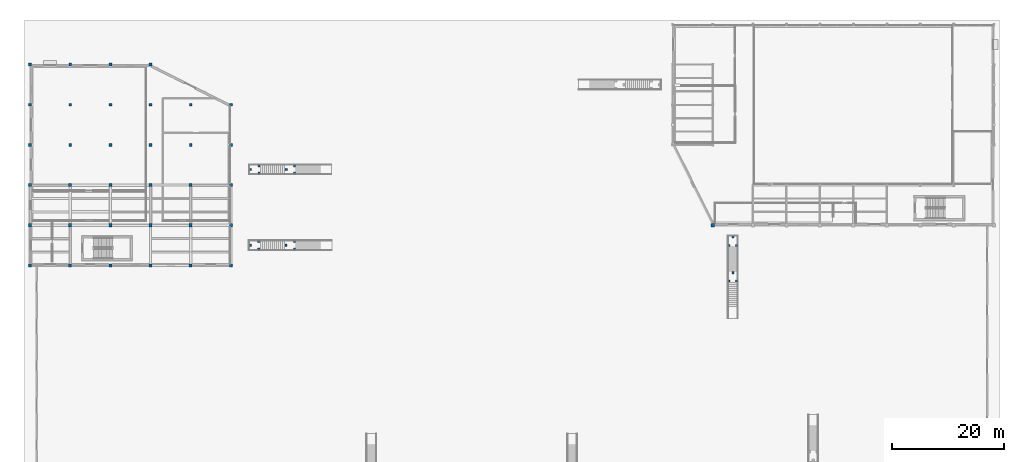
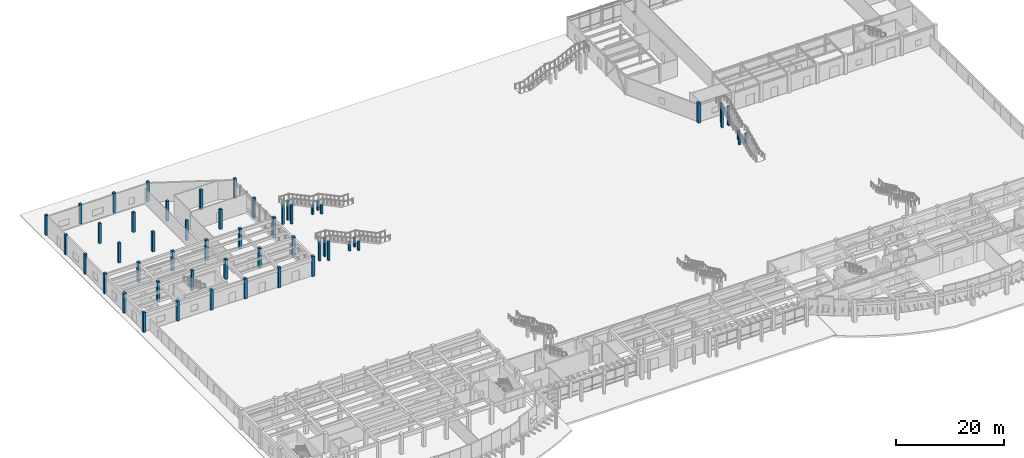
# One storey, part 2 of 58: 53 columns.
"""IFC4 building model written with IfcOpenShell, lengths in metres."""

from ifc_helpers import new_model, si_unit, direction, frame, origin, origin_2d, place, context, subcontext, project, spatial, rectangle, extrude, material, material_profile, profile_set, type_object, element, save


model = new_model("IFC4")

# Units and contexts
model_context = context("Model", 3, precision=1e-05, world=origin(), true_north=direction((0.0, 1.0)))
body_context = subcontext(model_context, "Body", "Model", "MODEL_VIEW")
ifc_project = project(units=[si_unit("LENGTHUNIT", "METRE"), si_unit("AREAUNIT", "SQUARE_METRE"), si_unit("VOLUMEUNIT", "CUBIC_METRE"), si_unit("PLANEANGLEUNIT", "RADIAN"), si_unit("MASSUNIT", "GRAM", prefix="KILO")], contexts=[model_context])

# Site, building, storey
site_placement = place(None, origin())
site = spatial("IfcSite", under=ifc_project, at=site_placement, CompositionType="ELEMENT")
building_placement = place(site_placement, origin())
building = spatial("IfcBuilding", under=site, at=building_placement, Name="Brisavento Harbour Community Centre", CompositionType="ELEMENT")
storey_placement = place(building_placement, origin())
storey = spatial("IfcBuildingStorey", under=building, at=storey_placement, Name="L00", CompositionType="ELEMENT", Elevation=0.0)

# Columns
ifc_material = material(Name="Concrete C35/45", Category="concrete")
ifc_material_profile_1 = material_profile(ifc_material, rectangle(XDim=0.39990234375, YDim=0.39990234375, at=origin_2d()), Name="Concrete C35/45")
ifc_profile_set_1 = profile_set([ifc_material_profile_1], Name="Concrete C35/45")
column_type_1 = type_object("IfcColumnType", Name="COL-RC-400", PredefinedType="COLUMN", material=ifc_profile_set_1)
for number, where, z_axis, x_axis, name in (
    (1, (126.68994140625, 69.199951171875, 0.0), (0.0, 0.0, 1.0), (1.0, 0.0, 0.0), "MST-03 MID support column 1 L00"),
    (2, (125.31005859375, 69.199951171875, 0.0), (0.0, 0.0, 1.0), (1.0, 0.0, 0.0), "MST-03 MID support column 2 L00"),
    (3, (126.0, 70.7099609375, 0.0), (0.0, 0.0, 1.0), (1.0, 0.0, 0.0), "MST-03 MID support column 3 L00"),
):
    element("IfcColumn", number, at=place(storey_placement, frame(where, z_axis=z_axis, x_axis=x_axis)), inside=storey, type_object=column_type_1, Name=name, PredefinedType="COLUMN", context=body_context, shape_type="SweptSolid", body=[
        extrude(rectangle(XDim=0.39990234375, YDim=0.39990234375, at=origin_2d()), origin(), (0.0, 0.0, 1.0), 2.050048828125),
    ])
for number, where, z_axis, x_axis, name in (
    (4, (126.68994140625, 75.590087890625, 0.0), (0.0, 0.0, 1.0), (1.0, 0.0, 0.0), "MST-03 TOP support column 1 L00"),
    (5, (125.31005859375, 75.590087890625, 0.0), (0.0, 0.0, 1.0), (1.0, 0.0, 0.0), "MST-03 TOP support column 2 L00"),
    (6, (126.0, 77.10009765625, 0.0), (0.0, 0.0, 1.0), (1.0, 0.0, 0.0), "MST-03 TOP support column 3 L00"),
):
    element("IfcColumn", number, at=place(storey_placement, frame(where, z_axis=z_axis, x_axis=x_axis)), inside=storey, type_object=column_type_1, Name=name, PredefinedType="COLUMN", context=body_context, shape_type="SweptSolid", body=[
        extrude(rectangle(XDim=0.39990234375, YDim=0.39990234375, at=origin_2d()), origin(), (0.0, 0.0, 1.0), 4.300048828125),
    ])
for number, where, z_axis, x_axis, name in (
    (7, (47.39990234375, 76.2900390625, 0.0), (0.0, 0.0, 1.0), (1.0, 0.0, 0.0), "MST-04 MID support column 1 L00"),
    (8, (47.39990234375, 74.909912109375, 0.0), (0.0, 0.0, 1.0), (1.0, 0.0, 0.0), "MST-04 MID support column 2 L00"),
    (9, (45.889892578125, 75.60009765625, 0.0), (0.0, 0.0, 1.0), (1.0, 0.0, 0.0), "MST-04 MID support column 3 L00"),
):
    element("IfcColumn", number, at=place(storey_placement, frame(where, z_axis=z_axis, x_axis=x_axis)), inside=storey, type_object=column_type_1, Name=name, PredefinedType="COLUMN", context=body_context, shape_type="SweptSolid", body=[
        extrude(rectangle(XDim=0.39990234375, YDim=0.39990234375, at=origin_2d()), origin(), (0.0, 0.0, 1.0), 2.050048828125),
    ])
for number, where, z_axis, x_axis, name in (
    (10, (41.010009765625, 76.2900390625, 0.0), (0.0, 0.0, 1.0), (1.0, 0.0, 0.0), "MST-04 TOP support column 1 L00"),
    (11, (41.010009765625, 74.909912109375, 0.0), (0.0, 0.0, 1.0), (1.0, 0.0, 0.0), "MST-04 TOP support column 2 L00"),
    (12, (39.5, 75.60009765625, 0.0), (0.0, 0.0, 1.0), (1.0, 0.0, 0.0), "MST-04 TOP support column 3 L00"),
):
    element("IfcColumn", number, at=place(storey_placement, frame(where, z_axis=z_axis, x_axis=x_axis)), inside=storey, type_object=column_type_1, Name=name, PredefinedType="COLUMN", context=body_context, shape_type="SweptSolid", body=[
        extrude(rectangle(XDim=0.39990234375, YDim=0.39990234375, at=origin_2d()), origin(), (0.0, 0.0, 1.0), 4.300048828125),
    ])
for number, where, z_axis, x_axis, name in (
    (13, (47.39990234375, 89.8798828125, 0.0), (0.0, 0.0, 1.0), (1.0, 0.0, 0.0), "MST-07 MID support column 1 L00"),
    (14, (47.39990234375, 88.52001953125, 0.0), (0.0, 0.0, 1.0), (1.0, 0.0, 0.0), "MST-07 MID support column 2 L00"),
    (15, (45.909912109375, 89.199951171875, 0.0), (0.0, 0.0, 1.0), (1.0, 0.0, 0.0), "MST-07 MID support column 3 L00"),
):
    element("IfcColumn", number, at=place(storey_placement, frame(where, z_axis=z_axis, x_axis=x_axis)), inside=storey, type_object=column_type_1, Name=name, PredefinedType="COLUMN", context=body_context, shape_type="SweptSolid", body=[
        extrude(rectangle(XDim=0.39990234375, YDim=0.39990234375, at=origin_2d()), origin(), (0.0, 0.0, 1.0), 2.050048828125),
    ])
for number, where, z_axis, x_axis, name in (
    (16, (41.030029296875, 89.8798828125, 0.0), (0.0, 0.0, 1.0), (1.0, 0.0, 0.0), "MST-07 TOP support column 1 L00"),
    (17, (41.030029296875, 88.52001953125, 0.0), (0.0, 0.0, 1.0), (1.0, 0.0, 0.0), "MST-07 TOP support column 2 L00"),
    (18, (39.5400390625, 89.199951171875, 0.0), (0.0, 0.0, 1.0), (1.0, 0.0, 0.0), "MST-07 TOP support column 3 L00"),
):
    element("IfcColumn", number, at=place(storey_placement, frame(where, z_axis=z_axis, x_axis=x_axis)), inside=storey, type_object=column_type_1, Name=name, PredefinedType="COLUMN", context=body_context, shape_type="SweptSolid", body=[
        extrude(rectangle(XDim=0.39990234375, YDim=0.39990234375, at=origin_2d()), origin(), (0.0, 0.0, 1.0), 4.300048828125),
    ])
ifc_material_profile_2 = material_profile(ifc_material, rectangle(XDim=0.5, YDim=0.5, at=origin_2d()), Name="Concrete C35/45")
ifc_profile_set_2 = profile_set([ifc_material_profile_2], Name="Concrete C35/45")
column_type_2 = type_object("IfcColumnType", Name="COL-RC-500", PredefinedType="COLUMN", material=ifc_profile_set_2)
for number, where, z_axis, x_axis, name in (
    (19, (0.0, 93.60009765625, 0.0), (0.0, 0.0, 1.0), (1.0, 0.0, 0.0), "L00 column V5N-0-93"),
    (20, (0.0, 100.800048828125, 0.0), (0.0, 0.0, 1.0), (1.0, 0.0, 0.0), "L00 column V5N-0-100"),
    (21, (7.199951171875, 93.60009765625, 0.0), (0.0, 0.0, 1.0), (1.0, 0.0, 0.0), "L00 column V5N-7-93"),
    (22, (7.199951171875, 100.800048828125, 0.0), (0.0, 0.0, 1.0), (1.0, 0.0, 0.0), "L00 column V5N-7-100"),
    (23, (14.39990234375, 93.60009765625, 0.0), (0.0, 0.0, 1.0), (1.0, 0.0, 0.0), "L00 column V5N-14-93"),
    (24, (14.39990234375, 100.800048828125, 0.0), (0.0, 0.0, 1.0), (1.0, 0.0, 0.0), "L00 column V5N-14-100"),
    (25, (21.60009765625, 93.60009765625, 0.0), (0.0, 0.0, 1.0), (1.0, 0.0, 0.0), "L00 column V5N-21-93"),
    (26, (21.60009765625, 100.800048828125, 0.0), (0.0, 0.0, 1.0), (1.0, 0.0, 0.0), "L00 column V5N-21-100"),
    (27, (28.800048828125, 93.60009765625, 0.0), (0.0, 0.0, 1.0), (1.0, 0.0, 0.0), "L00 column V5N-28-93"),
    (28, (28.800048828125, 100.800048828125, 0.0), (0.0, 0.0, 1.0), (1.0, 0.0, 0.0), "L00 column V5N-28-100"),
    (29, (36.0, 93.60009765625, 0.0), (0.0, 0.0, 1.0), (1.0, 0.0, 0.0), "L00 column V5N-36-93"),
    (30, (36.0, 100.800048828125, 0.0), (0.0, 0.0, 1.0), (1.0, 0.0, 0.0), "L00 column V5N-36-100"),
    (31, (0.0, 108.0, 0.0), (0.0, 0.0, 1.0), (1.0, 0.0, 0.0), "L00 column V5NP-0"),
    (32, (7.199951171875, 108.0, 0.0), (0.0, 0.0, 1.0), (1.0, 0.0, 0.0), "L00 column V5NP-7"),
    (33, (14.39990234375, 108.0, 0.0), (0.0, 0.0, 1.0), (1.0, 0.0, 0.0), "L00 column V5NP-14"),
    (34, (21.60009765625, 108.0, 0.0), (0.0, 0.0, 1.0), (1.0, 0.0, 0.0), "L00 column V5NP-21"),
):
    element("IfcColumn", number, at=place(storey_placement, frame(where, z_axis=z_axis, x_axis=x_axis)), inside=storey, type_object=column_type_2, Name=name, PredefinedType="COLUMN", context=body_context, shape_type="SweptSolid", body=[
        extrude(rectangle(XDim=0.5, YDim=0.5, at=origin_2d()), origin(), (0.0, 0.0, 1.0), 4.5),
    ])
ifc_material_profile_3 = material_profile(ifc_material, rectangle(XDim=0.550048828125, YDim=0.550048828125, at=origin_2d()), Name="Concrete C35/45")
ifc_profile_set_3 = profile_set([ifc_material_profile_3], Name="Concrete C35/45")
column_type_3 = type_object("IfcColumnType", Name="COL-RC-550", PredefinedType="COLUMN", material=ifc_profile_set_3)
for number, where, z_axis, x_axis, name in (
    (35, (0.0, 72.0, 0.0), (0.0, 0.0, 1.0), (1.0, 0.0, 0.0), "L00 column V5-0-72"),
    (36, (0.0, 79.199951171875, 0.0), (0.0, 0.0, 1.0), (1.0, 0.0, 0.0), "L00 column V5-0-79"),
    (37, (0.0, 86.39990234375, 0.0), (0.0, 0.0, 1.0), (1.0, 0.0, 0.0), "L00 column V5-0-86"),
    (38, (7.199951171875, 72.0, 0.0), (0.0, 0.0, 1.0), (1.0, 0.0, 0.0), "L00 column V5-7-72"),
    (39, (7.199951171875, 79.199951171875, 0.0), (0.0, 0.0, 1.0), (1.0, 0.0, 0.0), "L00 column V5-7-79"),
    (40, (7.199951171875, 86.39990234375, 0.0), (0.0, 0.0, 1.0), (1.0, 0.0, 0.0), "L00 column V5-7-86"),
    (41, (14.39990234375, 72.0, 0.0), (0.0, 0.0, 1.0), (1.0, 0.0, 0.0), "L00 column V5-14-72"),
    (42, (14.39990234375, 79.199951171875, 0.0), (0.0, 0.0, 1.0), (1.0, 0.0, 0.0), "L00 column V5-14-79"),
    (43, (14.39990234375, 86.39990234375, 0.0), (0.0, 0.0, 1.0), (1.0, 0.0, 0.0), "L00 column V5-14-86"),
    (44, (21.60009765625, 72.0, 0.0), (0.0, 0.0, 1.0), (1.0, 0.0, 0.0), "L00 column V5-21-72"),
    (45, (21.60009765625, 79.199951171875, 0.0), (0.0, 0.0, 1.0), (1.0, 0.0, 0.0), "L00 column V5-21-79"),
    (46, (21.60009765625, 86.39990234375, 0.0), (0.0, 0.0, 1.0), (1.0, 0.0, 0.0), "L00 column V5-21-86"),
    (47, (28.800048828125, 72.0, 0.0), (0.0, 0.0, 1.0), (1.0, 0.0, 0.0), "L00 column V5-28-72"),
    (48, (28.800048828125, 79.199951171875, 0.0), (0.0, 0.0, 1.0), (1.0, 0.0, 0.0), "L00 column V5-28-79"),
    (49, (28.800048828125, 86.39990234375, 0.0), (0.0, 0.0, 1.0), (1.0, 0.0, 0.0), "L00 column V5-28-86"),
    (50, (36.0, 72.0, 0.0), (0.0, 0.0, 1.0), (1.0, 0.0, 0.0), "L00 column V5-36-72"),
    (51, (36.0, 79.199951171875, 0.0), (0.0, 0.0, 1.0), (1.0, 0.0, 0.0), "L00 column V5-36-79"),
    (52, (36.0, 86.39990234375, 0.0), (0.0, 0.0, 1.0), (1.0, 0.0, 0.0), "L00 column V5-36-86"),
):
    element("IfcColumn", number, at=place(storey_placement, frame(where, z_axis=z_axis, x_axis=x_axis)), inside=storey, type_object=column_type_3, Name=name, PredefinedType="COLUMN", context=body_context, shape_type="SweptSolid", body=[
        extrude(rectangle(XDim=0.550048828125, YDim=0.550048828125, at=origin_2d()), origin(), (0.0, 0.0, 1.0), 4.5),
    ])
ifc_material_profile_4 = material_profile(ifc_material, rectangle(XDim=0.60009765625, YDim=0.60009765625, at=origin_2d()), Name="Concrete C35/45")
ifc_profile_set_4 = profile_set([ifc_material_profile_4], Name="Concrete C35/45")
column_type_4 = type_object("IfcColumnType", Name="COL-RC-600", PredefinedType="COLUMN", material=ifc_profile_set_4)
column_placement = place(storey_placement, frame((122.39990234375, 79.199951171875, 0.0), z_axis=(0.0, 0.0, 1.0), x_axis=(1.0, 0.0, 0.0)))
element("IfcColumn", 53, at=column_placement, inside=storey, type_object=column_type_4, Name="L00 column V4SW-PROW", PredefinedType="COLUMN", context=body_context, shape_type="SweptSolid", body=[
    extrude(rectangle(XDim=0.60009765625, YDim=0.60009765625, at=origin_2d()), origin(), (0.0, 0.0, 1.0), 4.5),
])

save(model, "model.ifc")
